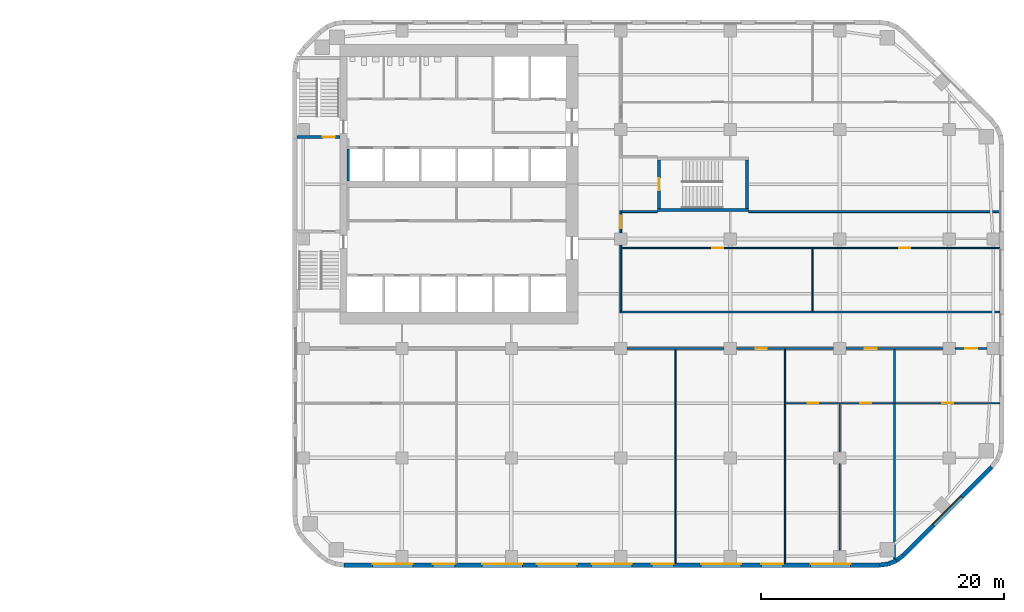
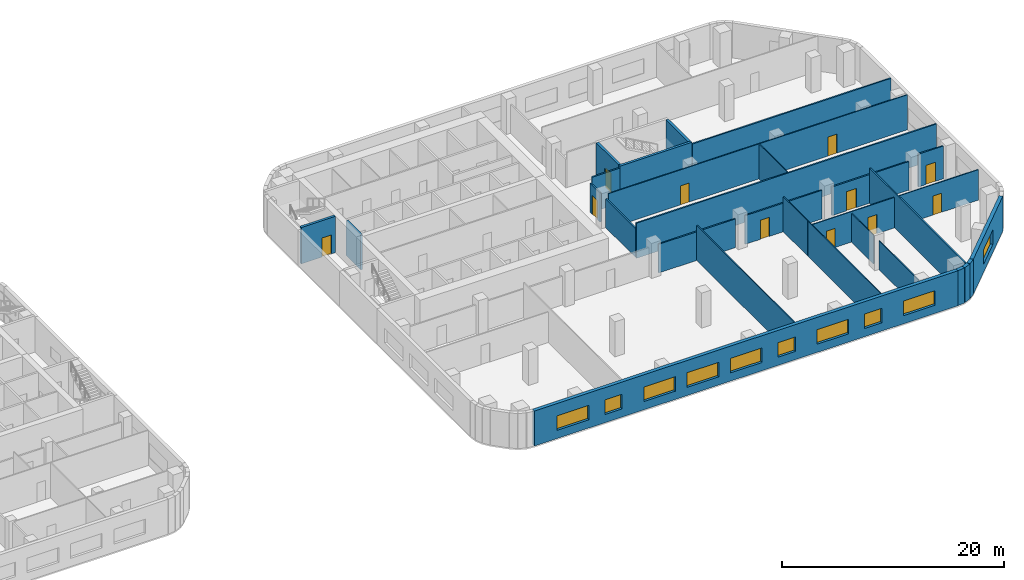
# One storey, part 10 of 16: 29 walls, 11 doors, 10 windows, 21 openings.
"""IFC4 building model written with IfcOpenShell, lengths in metres."""

from ifc_helpers import new_model, si_unit, direction, frame, frame_2d, origin, place, context, subcontext, project, spatial, rectangle, extrude, material, layer, layer_set, type_object, element, fill, save


model = new_model("IFC4")

# Units and contexts
model_context = context("Model", 3, precision=1e-05, world=origin(), true_north=direction((0.0, 1.0)))
body_context = subcontext(model_context, "Body", "Model", "MODEL_VIEW")
ifc_project = project(units=[si_unit("LENGTHUNIT", "METRE"), si_unit("AREAUNIT", "SQUARE_METRE"), si_unit("VOLUMEUNIT", "CUBIC_METRE"), si_unit("PLANEANGLEUNIT", "RADIAN"), si_unit("MASSUNIT", "GRAM", prefix="KILO")], contexts=[model_context])

# Site, building, storey
site_placement = place(None, origin())
site = spatial("IfcSite", under=ifc_project, at=site_placement, CompositionType="ELEMENT")
building_placement = place(site_placement, origin())
building = spatial("IfcBuilding", under=site, at=building_placement, Name="Cinnabar Reach Civic Tower", CompositionType="ELEMENT")
storey_placement = place(building_placement, frame((0.0, 0.0, 34.0)))
storey = spatial("IfcBuildingStorey", under=building, at=storey_placement, Name="L07", CompositionType="ELEMENT", Elevation=34.0)

# Walls
ifc_material_1 = material(Name="Facing brick with insulated backing", Category="masonry")
ifc_layer_1 = layer(ifc_material_1, 0.36)
ifc_layer_set_1 = layer_set([ifc_layer_1], Name="Brick corner wall")
wall_type_1 = type_object("IfcWallType", Name="Brick corner wall", PredefinedType="STANDARD", material=ifc_layer_set_1)
for number, where, z_axis, x_axis, name in (
    (1, (48.2686, 0.183, 0.0), (0.0, 0.0, 1.0), (0.99144092581, 0.13055608231, 0.0), "Brick corner wall"),
    (2, (48.9973, 0.2819, 0.0), (0.0, 0.0, 1.0), (0.923871547278, 0.382702709855, 0.0), "Brick corner wall"),
):
    element("IfcWall", number, at=place(storey_placement, frame(where, z_axis=z_axis, x_axis=x_axis)), inside=storey, type_object=wall_type_1, Name=name, PredefinedType="STANDARD", context=body_context, shape_type="SweptSolid", body=[
        extrude(rectangle(XDim=0.7131, YDim=0.36, at=frame_2d((0.3565, 0.0))), origin(), (0.0, 0.0, 1.0), 3.85),
    ])
wall_1_placement = place(storey_placement, frame((49.6755, 0.566, 0.0), z_axis=(0.0, 0.0, 1.0), x_axis=(0.793321924995, 0.608802368033, 0.0)))
element("IfcWall", 3, at=wall_1_placement, inside=storey, type_object=wall_type_1, Name="Brick corner wall", PredefinedType="STANDARD", context=body_context, shape_type="SweptSolid", body=[
    extrude(rectangle(XDim=0.7132, YDim=0.36, at=frame_2d((0.3566, 0.0))), origin(), (0.0, 0.0, 1.0), 3.85),
])

# Wall, openings, windows
ifc_layer_2 = layer(ifc_material_1, 0.36)
ifc_layer_set_2 = layer_set([ifc_layer_2], Name="Brick pier and spandrel wall")
wall_type_2 = type_object("IfcWallType", Name="Brick pier and spandrel wall", PredefinedType="STANDARD", material=ifc_layer_set_2)
wall_2_placement = place(storey_placement, frame((4.2426, 0.18, 0.0), z_axis=(0.0, 0.0, 1.0), x_axis=(1.0, 0.0, 0.0)))
wall_2 = element("IfcWall", 4, at=wall_2_placement, inside=storey, type_object=wall_type_2, Name="Brick facade wall", PredefinedType="STANDARD", context=body_context, shape_type="SweptSolid", body=[
    extrude(rectangle(XDim=44.0148, YDim=0.36, at=frame_2d((22.0074, 0.0))), origin(), (0.0, 0.0, 1.0), 3.85),
])
opening_1_placement = place(wall_2_placement, frame((2.3574, 0.0, 0.9)))
opening_1 = element("IfcOpeningElement", 5, at=opening_1_placement, cuts=wall_2, Name="Opening W1051", PredefinedType="OPENING", context=body_context, shape_type="SweptSolid", body=[
    extrude(rectangle(XDim=3.3, YDim=1.6, at=frame_2d((1.65, 0.8))), frame((0.0, 0.19, 0.0), z_axis=(0.0, -1.0, 0.0), x_axis=(1.0, 0.0, 0.0)), (0.0, 0.0, 1.0), 0.38),
])
opening_2_placement = place(wall_2_placement, frame((7.3074, 0.0, 0.9)))
opening_2 = element("IfcOpeningElement", 6, at=opening_2_placement, cuts=wall_2, Name="Opening W1052", PredefinedType="OPENING", context=body_context, shape_type="SweptSolid", body=[
    extrude(rectangle(XDim=1.8, YDim=1.6, at=frame_2d((0.9, 0.8))), frame((0.0, 0.19, 0.0), z_axis=(0.0, -1.0, 0.0), x_axis=(1.0, 0.0, 0.0)), (0.0, 0.0, 1.0), 0.38),
])
opening_3_placement = place(wall_2_placement, frame((11.3574, 0.0, 0.9)))
opening_3 = element("IfcOpeningElement", 7, at=opening_3_placement, cuts=wall_2, Name="Opening W1053", PredefinedType="OPENING", context=body_context, shape_type="SweptSolid", body=[
    extrude(rectangle(XDim=3.3, YDim=1.6, at=frame_2d((1.65, 0.8))), frame((0.0, 0.19, 0.0), z_axis=(0.0, -1.0, 0.0), x_axis=(1.0, 0.0, 0.0)), (0.0, 0.0, 1.0), 0.38),
])
opening_4_placement = place(wall_2_placement, frame((15.8574, 0.0, 0.9)))
opening_4 = element("IfcOpeningElement", 8, at=opening_4_placement, cuts=wall_2, Name="Opening W1054", PredefinedType="OPENING", context=body_context, shape_type="SweptSolid", body=[
    extrude(rectangle(XDim=3.3, YDim=1.6, at=frame_2d((1.65, 0.8))), frame((0.0, 0.19, 0.0), z_axis=(0.0, -1.0, 0.0), x_axis=(1.0, 0.0, 0.0)), (0.0, 0.0, 1.0), 0.38),
])
opening_5_placement = place(wall_2_placement, frame((20.3574, 0.0, 0.9)))
opening_5 = element("IfcOpeningElement", 9, at=opening_5_placement, cuts=wall_2, Name="Opening W1055", PredefinedType="OPENING", context=body_context, shape_type="SweptSolid", body=[
    extrude(rectangle(XDim=3.3, YDim=1.6, at=frame_2d((1.65, 0.8))), frame((0.0, 0.19, 0.0), z_axis=(0.0, -1.0, 0.0), x_axis=(1.0, 0.0, 0.0)), (0.0, 0.0, 1.0), 0.38),
])
opening_6_placement = place(wall_2_placement, frame((25.3074, 0.0, 0.9)))
opening_6 = element("IfcOpeningElement", 10, at=opening_6_placement, cuts=wall_2, Name="Opening W1056", PredefinedType="OPENING", context=body_context, shape_type="SweptSolid", body=[
    extrude(rectangle(XDim=1.8, YDim=1.6, at=frame_2d((0.9, 0.8))), frame((0.0, 0.19, 0.0), z_axis=(0.0, -1.0, 0.0), x_axis=(1.0, 0.0, 0.0)), (0.0, 0.0, 1.0), 0.38),
])
opening_7_placement = place(wall_2_placement, frame((29.3574, 0.0, 0.9)))
opening_7 = element("IfcOpeningElement", 11, at=opening_7_placement, cuts=wall_2, Name="Opening W1057", PredefinedType="OPENING", context=body_context, shape_type="SweptSolid", body=[
    extrude(rectangle(XDim=3.3, YDim=1.6, at=frame_2d((1.65, 0.8))), frame((0.0, 0.19, 0.0), z_axis=(0.0, -1.0, 0.0), x_axis=(1.0, 0.0, 0.0)), (0.0, 0.0, 1.0), 0.38),
])
opening_8_placement = place(wall_2_placement, frame((34.3074, 0.0, 0.9)))
opening_8 = element("IfcOpeningElement", 12, at=opening_8_placement, cuts=wall_2, Name="Opening W1058", PredefinedType="OPENING", context=body_context, shape_type="SweptSolid", body=[
    extrude(rectangle(XDim=1.8, YDim=1.6, at=frame_2d((0.9, 0.8))), frame((0.0, 0.19, 0.0), z_axis=(0.0, -1.0, 0.0), x_axis=(1.0, 0.0, 0.0)), (0.0, 0.0, 1.0), 0.38),
])
opening_9_placement = place(wall_2_placement, frame((38.3574, 0.0, 0.9)))
opening_9 = element("IfcOpeningElement", 13, at=opening_9_placement, cuts=wall_2, Name="Opening W1059", PredefinedType="OPENING", context=body_context, shape_type="SweptSolid", body=[
    extrude(rectangle(XDim=3.3, YDim=1.6, at=frame_2d((1.65, 0.8))), frame((0.0, 0.19, 0.0), z_axis=(0.0, -1.0, 0.0), x_axis=(1.0, 0.0, 0.0)), (0.0, 0.0, 1.0), 0.38),
])
ifc_material_2 = material(Name="Clear double glazing in aluminium frame", Category="aluminium")
window_type_1 = type_object("IfcWindowType", Name="Deep-set window A", PartitioningType="SINGLE_PANEL", PredefinedType="WINDOW", material=ifc_material_2)
window_1_placement = place(opening_1_placement, origin())
window_1 = element("IfcWindow", 14, at=window_1_placement, inside=storey, type_object=window_type_1, Name="Window south face", OverallHeight=1.6, OverallWidth=3.3, PartitioningType="SINGLE_PANEL", PredefinedType="WINDOW", context=body_context, shape_type="SweptSolid", body=[
    extrude(rectangle(XDim=3.3, YDim=1.6, at=frame_2d((1.65, 0.8))), frame((0.0, 0.13, 0.0), z_axis=(0.0, -1.0, 0.0), x_axis=(1.0, 0.0, 0.0)), (0.0, 0.0, 1.0), 0.06),
])
fill(opening_1, window_1)
window_2_placement = place(opening_3_placement, origin())
window_2 = element("IfcWindow", 15, at=window_2_placement, inside=storey, type_object=window_type_1, Name="Window south face", OverallHeight=1.6, OverallWidth=3.3, PartitioningType="SINGLE_PANEL", PredefinedType="WINDOW", context=body_context, shape_type="SweptSolid", body=[
    extrude(rectangle(XDim=3.3, YDim=1.6, at=frame_2d((1.65, 0.8))), frame((0.0, 0.13, 0.0), z_axis=(0.0, -1.0, 0.0), x_axis=(1.0, 0.0, 0.0)), (0.0, 0.0, 1.0), 0.06),
])
fill(opening_3, window_2)
window_3_placement = place(opening_4_placement, origin())
window_3 = element("IfcWindow", 16, at=window_3_placement, inside=storey, type_object=window_type_1, Name="Window south face", OverallHeight=1.6, OverallWidth=3.3, PartitioningType="SINGLE_PANEL", PredefinedType="WINDOW", context=body_context, shape_type="SweptSolid", body=[
    extrude(rectangle(XDim=3.3, YDim=1.6, at=frame_2d((1.65, 0.8))), frame((0.0, 0.13, 0.0), z_axis=(0.0, -1.0, 0.0), x_axis=(1.0, 0.0, 0.0)), (0.0, 0.0, 1.0), 0.06),
])
fill(opening_4, window_3)
window_4_placement = place(opening_5_placement, origin())
window_4 = element("IfcWindow", 17, at=window_4_placement, inside=storey, type_object=window_type_1, Name="Window south face", OverallHeight=1.6, OverallWidth=3.3, PartitioningType="SINGLE_PANEL", PredefinedType="WINDOW", context=body_context, shape_type="SweptSolid", body=[
    extrude(rectangle(XDim=3.3, YDim=1.6, at=frame_2d((1.65, 0.8))), frame((0.0, 0.13, 0.0), z_axis=(0.0, -1.0, 0.0), x_axis=(1.0, 0.0, 0.0)), (0.0, 0.0, 1.0), 0.06),
])
fill(opening_5, window_4)
window_5_placement = place(opening_7_placement, origin())
window_5 = element("IfcWindow", 18, at=window_5_placement, inside=storey, type_object=window_type_1, Name="Window south face", OverallHeight=1.6, OverallWidth=3.3, PartitioningType="SINGLE_PANEL", PredefinedType="WINDOW", context=body_context, shape_type="SweptSolid", body=[
    extrude(rectangle(XDim=3.3, YDim=1.6, at=frame_2d((1.65, 0.8))), frame((0.0, 0.13, 0.0), z_axis=(0.0, -1.0, 0.0), x_axis=(1.0, 0.0, 0.0)), (0.0, 0.0, 1.0), 0.06),
])
fill(opening_7, window_5)
window_6_placement = place(opening_9_placement, origin())
window_6 = element("IfcWindow", 19, at=window_6_placement, inside=storey, type_object=window_type_1, Name="Window south face", OverallHeight=1.6, OverallWidth=3.3, PartitioningType="SINGLE_PANEL", PredefinedType="WINDOW", context=body_context, shape_type="SweptSolid", body=[
    extrude(rectangle(XDim=3.3, YDim=1.6, at=frame_2d((1.65, 0.8))), frame((0.0, 0.13, 0.0), z_axis=(0.0, -1.0, 0.0), x_axis=(1.0, 0.0, 0.0)), (0.0, 0.0, 1.0), 0.06),
])
fill(opening_9, window_6)
window_type_2 = type_object("IfcWindowType", Name="Deep-set window D", PartitioningType="SINGLE_PANEL", PredefinedType="WINDOW", material=ifc_material_2)
window_7_placement = place(opening_2_placement, origin())
window_7 = element("IfcWindow", 20, at=window_7_placement, inside=storey, type_object=window_type_2, Name="Window south face", OverallHeight=1.6, OverallWidth=1.8, PartitioningType="SINGLE_PANEL", PredefinedType="WINDOW", context=body_context, shape_type="SweptSolid", body=[
    extrude(rectangle(XDim=1.8, YDim=1.6, at=frame_2d((0.9, 0.8))), frame((0.0, 0.13, 0.0), z_axis=(0.0, -1.0, 0.0), x_axis=(1.0, 0.0, 0.0)), (0.0, 0.0, 1.0), 0.06),
])
fill(opening_2, window_7)
window_8_placement = place(opening_6_placement, origin())
window_8 = element("IfcWindow", 21, at=window_8_placement, inside=storey, type_object=window_type_2, Name="Window south face", OverallHeight=1.6, OverallWidth=1.8, PartitioningType="SINGLE_PANEL", PredefinedType="WINDOW", context=body_context, shape_type="SweptSolid", body=[
    extrude(rectangle(XDim=1.8, YDim=1.6, at=frame_2d((0.9, 0.8))), frame((0.0, 0.13, 0.0), z_axis=(0.0, -1.0, 0.0), x_axis=(1.0, 0.0, 0.0)), (0.0, 0.0, 1.0), 0.06),
])
fill(opening_6, window_8)
window_9_placement = place(opening_8_placement, origin())
window_9 = element("IfcWindow", 22, at=window_9_placement, inside=storey, type_object=window_type_2, Name="Window south face", OverallHeight=1.6, OverallWidth=1.8, PartitioningType="SINGLE_PANEL", PredefinedType="WINDOW", context=body_context, shape_type="SweptSolid", body=[
    extrude(rectangle(XDim=1.8, YDim=1.6, at=frame_2d((0.9, 0.8))), frame((0.0, 0.13, 0.0), z_axis=(0.0, -1.0, 0.0), x_axis=(1.0, 0.0, 0.0)), (0.0, 0.0, 1.0), 0.06),
])
fill(opening_8, window_9)

# Wall, opening, window
wall_3_placement = place(storey_placement, frame((50.2514, 1.006, 0.0), z_axis=(0.0, 0.0, 1.0), x_axis=(0.707106781187, 0.707106781187, 0.0)))
wall_3 = element("IfcWall", 23, at=wall_3_placement, inside=storey, type_object=wall_type_2, Name="Brick facade wall", PredefinedType="STANDARD", context=body_context, shape_type="SweptSolid", body=[
    extrude(rectangle(XDim=10.2426, YDim=0.36, at=frame_2d((5.1213, 0.0))), origin(), (0.0, 0.0, 1.0), 3.85),
])
opening_10_placement = place(wall_3_placement, frame((3.4713, 0.0, 0.9)))
opening_10 = element("IfcOpeningElement", 24, at=opening_10_placement, cuts=wall_3, Name="Opening W1060", PredefinedType="OPENING", context=body_context, shape_type="SweptSolid", body=[
    extrude(rectangle(XDim=3.3, YDim=1.6, at=frame_2d((1.65, 0.8))), frame((0.0, 0.19, 0.0), z_axis=(0.0, -1.0, 0.0), x_axis=(1.0, 0.0, 0.0)), (0.0, 0.0, 1.0), 0.38),
])
window_10_placement = place(opening_10_placement, origin())
window_10 = element("IfcWindow", 25, at=window_10_placement, inside=storey, type_object=window_type_1, Name="Window southeast face", OverallHeight=1.6, OverallWidth=3.3, PartitioningType="SINGLE_PANEL", PredefinedType="WINDOW", context=body_context, shape_type="SweptSolid", body=[
    extrude(rectangle(XDim=3.3, YDim=1.6, at=frame_2d((1.65, 0.8))), frame((0.0, 0.13, 0.0), z_axis=(0.0, -1.0, 0.0), x_axis=(1.0, 0.0, 0.0)), (0.0, 0.0, 1.0), 0.06),
])
fill(opening_10, window_10)

# Wall, opening, door
ifc_material_3 = material(Name="Gypsum board on steel studs, double layer", Category="steel")
ifc_layer_3 = layer(ifc_material_3, 0.15)
ifc_layer_set_3 = layer_set([ifc_layer_3], Name="Corridor wall 150 T1")
wall_type_3 = type_object("IfcWallType", Name="Corridor wall 150 T1", PredefinedType="PARTITIONING", material=ifc_layer_set_3)
wall_4_placement = place(storey_placement, frame((54.5, 18.0, 0.0), z_axis=(0.0, 0.0, 1.0), x_axis=(1.0, 0.0, 0.0)))
wall_4 = element("IfcWall", 26, at=wall_4_placement, inside=storey, type_object=wall_type_3, Name="Corridor wall 19", PredefinedType="PARTITIONING", context=body_context, shape_type="SweptSolid", body=[
    extrude(rectangle(XDim=2.6, YDim=0.15, at=frame_2d((1.3, 0.0))), origin(), (0.0, 0.0, 1.0), 3.602),
])
opening_11_placement = place(wall_4_placement, frame((0.8, 0.0, 0.0)))
opening_11 = element("IfcOpeningElement", 27, at=opening_11_placement, cuts=wall_4, Name="Opening D3312", PredefinedType="OPENING", context=body_context, shape_type="SweptSolid", body=[
    extrude(rectangle(XDim=1.0, YDim=2.1, at=frame_2d((0.5, 1.05))), frame((0.0, 0.085, 0.0), z_axis=(0.0, -1.0, 0.0), x_axis=(1.0, 0.0, 0.0)), (0.0, 0.0, 1.0), 0.17),
])
ifc_material_4 = material(Name="Timber door leaf in steel frame", Category="steel")
door_type_1 = type_object("IfcDoorType", Name="Tenancy entrance door 1000 x 2100 T1", OperationType="SINGLE_SWING_LEFT", PredefinedType="DOOR", material=ifc_material_4)
door_1_placement = place(opening_11_placement, frame((1.0, 0.0, 0.0), z_axis=(0.0, 0.0, 1.0), x_axis=(-1.0, 0.0, 0.0)))
door_1 = element("IfcDoor", 28, at=door_1_placement, inside=storey, type_object=door_type_1, Name="Door D3312", OperationType="SINGLE_SWING_RIGHT", OverallHeight=2.1, OverallWidth=1.0, PredefinedType="DOOR", context=body_context, shape_type="SweptSolid", body=[
    extrude(rectangle(XDim=1.0, YDim=2.1, at=frame_2d((0.5, 1.05))), frame((0.0, 0.025, 0.0), z_axis=(0.0, -1.0, 0.0), x_axis=(1.0, 0.0, 0.0)), (0.0, 0.0, 1.0), 0.05),
])
fill(opening_11, door_1)

wall_5_placement = place(storey_placement, frame((45.5, 18.0, 0.0), z_axis=(0.0, 0.0, 1.0), x_axis=(1.0, 0.0, 0.0)))
wall_5 = element("IfcWall", 29, at=wall_5_placement, inside=storey, type_object=wall_type_3, Name="Corridor wall 20", PredefinedType="PARTITIONING", context=body_context, shape_type="SweptSolid", body=[
    extrude(rectangle(XDim=8.0, YDim=0.15, at=frame_2d((4.0, 0.0))), origin(), (0.0, 0.0, 1.0), 3.15),
])
opening_12_placement = place(wall_5_placement, frame((1.55, 0.0, 0.0)))
opening_12 = element("IfcOpeningElement", 30, at=opening_12_placement, cuts=wall_5, Name="Opening D3309", PredefinedType="OPENING", context=body_context, shape_type="SweptSolid", body=[
    extrude(rectangle(XDim=1.0, YDim=2.1, at=frame_2d((0.5, 1.05))), frame((0.0, 0.085, 0.0), z_axis=(0.0, -1.0, 0.0), x_axis=(1.0, 0.0, 0.0)), (0.0, 0.0, 1.0), 0.17),
])
door_2_placement = place(opening_12_placement, frame((1.0, 0.0, 0.0), z_axis=(0.0, 0.0, 1.0), x_axis=(-1.0, 0.0, 0.0)))
door_2 = element("IfcDoor", 31, at=door_2_placement, inside=storey, type_object=door_type_1, Name="Door D3309", OperationType="SINGLE_SWING_LEFT", OverallHeight=2.1, OverallWidth=1.0, PredefinedType="DOOR", context=body_context, shape_type="SweptSolid", body=[
    extrude(rectangle(XDim=1.0, YDim=2.1, at=frame_2d((0.5, 1.05))), frame((0.0, 0.025, 0.0), z_axis=(0.0, -1.0, 0.0), x_axis=(1.0, 0.0, 0.0)), (0.0, 0.0, 1.0), 0.05),
])
fill(opening_12, door_2)

wall_6_placement = place(storey_placement, frame((36.5, 18.0, 0.0), z_axis=(0.0, 0.0, 1.0), x_axis=(1.0, 0.0, 0.0)))
wall_6 = element("IfcWall", 32, at=wall_6_placement, inside=storey, type_object=wall_type_3, Name="Corridor wall 21", PredefinedType="PARTITIONING", context=body_context, shape_type="SweptSolid", body=[
    extrude(rectangle(XDim=8.0, YDim=0.15, at=frame_2d((4.0, 0.0))), origin(), (0.0, 0.0, 1.0), 3.15),
])
opening_13_placement = place(wall_6_placement, frame((1.6, 0.0, 0.0)))
opening_13 = element("IfcOpeningElement", 33, at=opening_13_placement, cuts=wall_6, Name="Opening D3308", PredefinedType="OPENING", context=body_context, shape_type="SweptSolid", body=[
    extrude(rectangle(XDim=0.9, YDim=2.1, at=frame_2d((0.45, 1.05))), frame((0.0, 0.085, 0.0), z_axis=(0.0, -1.0, 0.0), x_axis=(1.0, 0.0, 0.0)), (0.0, 0.0, 1.0), 0.17),
])
door_type_2 = type_object("IfcDoorType", Name="Single swing door 900 x 2100 corridor T1", OperationType="SINGLE_SWING_LEFT", PredefinedType="DOOR", material=ifc_material_4)
door_3_placement = place(opening_13_placement, frame((0.9, 0.0, 0.0), z_axis=(0.0, 0.0, 1.0), x_axis=(-1.0, 0.0, 0.0)))
door_3 = element("IfcDoor", 34, at=door_3_placement, inside=storey, type_object=door_type_2, Name="Door D3308", OperationType="SINGLE_SWING_LEFT", OverallHeight=2.1, OverallWidth=0.9, PredefinedType="DOOR", context=body_context, shape_type="SweptSolid", body=[
    extrude(rectangle(XDim=0.9, YDim=2.1, at=frame_2d((0.45, 1.05))), frame((0.0, 0.025, 0.0), z_axis=(0.0, -1.0, 0.0), x_axis=(1.0, 0.0, 0.0)), (0.0, 0.0, 1.0), 0.05),
])
fill(opening_13, door_3)

# Walls
wall_7_placement = place(storey_placement, frame((27.5, 18.0, 0.0), z_axis=(0.0, 0.0, 1.0), x_axis=(1.0, 0.0, 0.0)))
element("IfcWall", 35, at=wall_7_placement, inside=storey, type_object=wall_type_3, Name="Corridor wall 22", PredefinedType="PARTITIONING", context=body_context, shape_type="SweptSolid", body=[
    extrude(rectangle(XDim=8.0, YDim=0.15, at=frame_2d((4.0, 0.0))), origin(), (0.0, 0.0, 1.0), 3.15),
])
wall_8_placement = place(storey_placement, frame((26.925, 21.0, 0.0), z_axis=(0.0, 0.0, 1.0), x_axis=(1.0, 0.0, 0.0)))
element("IfcWall", 36, at=wall_8_placement, inside=storey, type_object=wall_type_3, Name="Corridor wall 26", PredefinedType="PARTITIONING", context=body_context, shape_type="SweptSolid", body=[
    extrude(rectangle(XDim=31.215, YDim=0.15, at=frame_2d((15.6075, 0.0))), origin(), (0.0, 0.0, 1.0), 3.85),
])
wall_9_placement = place(storey_placement, frame((27.0, 21.075, 0.0), z_axis=(0.0, 0.0, 1.0), x_axis=(0.0, 1.0, 0.0)))
element("IfcWall", 37, at=wall_9_placement, inside=storey, type_object=wall_type_3, Name="Corridor wall 31", PredefinedType="PARTITIONING", context=body_context, shape_type="SweptSolid", body=[
    extrude(rectangle(XDim=5.425, YDim=0.15, at=frame_2d((2.7125, 0.0))), origin(), (0.0, 0.0, 1.0), 3.158),
])

# Wall, opening, door
wall_10_placement = place(storey_placement, frame((27.0, 27.5, 0.0), z_axis=(0.0, 0.0, 1.0), x_axis=(0.0, 1.0, 0.0)))
wall_10 = element("IfcWall", 38, at=wall_10_placement, inside=storey, type_object=wall_type_3, Name="Corridor wall 32", PredefinedType="PARTITIONING", context=body_context, shape_type="SweptSolid", body=[
    extrude(rectangle(XDim=1.825, YDim=0.15, at=frame_2d((0.9125, 0.0))), origin(), (0.0, 0.0, 1.0), 3.158),
])
opening_14_placement = place(wall_10_placement, frame((0.4, 0.0, 0.0)))
opening_14 = element("IfcOpeningElement", 39, at=opening_14_placement, cuts=wall_10, Name="Opening D3302", PredefinedType="OPENING", context=body_context, shape_type="SweptSolid", body=[
    extrude(rectangle(XDim=1.0, YDim=2.1, at=frame_2d((0.5, 1.05))), frame((0.0, 0.085, 0.0), z_axis=(0.0, -1.0, 0.0), x_axis=(1.0, 0.0, 0.0)), (0.0, 0.0, 1.0), 0.17),
])
door_4_placement = place(opening_14_placement, frame((1.0, 0.0, 0.0), z_axis=(0.0, 0.0, 1.0), x_axis=(-1.0, 0.0, 0.0)))
door_4 = element("IfcDoor", 40, at=door_4_placement, inside=storey, type_object=door_type_1, Name="Door D3302", OperationType="SINGLE_SWING_LEFT", OverallHeight=2.1, OverallWidth=1.0, PredefinedType="DOOR", context=body_context, shape_type="SweptSolid", body=[
    extrude(rectangle(XDim=1.0, YDim=2.1, at=frame_2d((0.5, 1.05))), frame((0.0, 0.025, 0.0), z_axis=(0.0, -1.0, 0.0), x_axis=(1.0, 0.0, 0.0)), (0.0, 0.0, 1.0), 0.05),
])
fill(opening_14, door_4)

# Walls
wall_11_placement = place(storey_placement, frame((27.075, 29.25, 0.0), z_axis=(0.0, 0.0, 1.0), x_axis=(1.0, 0.0, 0.0)))
element("IfcWall", 41, at=wall_11_placement, inside=storey, type_object=wall_type_3, Name="Corridor wall 35", PredefinedType="PARTITIONING", context=body_context, shape_type="SweptSolid", body=[
    extrude(rectangle(XDim=2.925, YDim=0.15, at=frame_2d((1.4625, 0.0))), origin(), (0.0, 0.0, 1.0), 3.85),
])
ifc_material_5 = material(Name="Blockwork", Category="masonry")
ifc_layer_4 = layer(ifc_material_5, 0.2)
ifc_layer_set_4 = layer_set([ifc_layer_4], Name="Lift shaft wall 200 T1")
wall_type_4 = type_object("IfcWallType", Name="Lift shaft wall 200 T1", PredefinedType="PARTITIONING", material=ifc_layer_set_4)
wall_12_placement = place(storey_placement, frame((4.6, 31.75, 0.0), z_axis=(0.0, 0.0, 1.0), x_axis=(0.0, 1.0, 0.0)))
element("IfcWall", 42, at=wall_12_placement, inside=storey, type_object=wall_type_4, Name="Lift shaft wall 8", PredefinedType="PARTITIONING", context=body_context, shape_type="SweptSolid", body=[
    extrude(rectangle(XDim=2.65, YDim=0.2, at=frame_2d((1.325, 0.0))), origin(), (0.0, 0.0, 1.0), 3.85),
])

# Wall, openings, doors
ifc_material_6 = material(Name="Gypsum board on steel studs", Category="steel")
ifc_layer_5 = layer(ifc_material_6, 0.1)
ifc_layer_set_5 = layer_set([ifc_layer_5], Name="Partition wall 100 T1")
wall_type_5 = type_object("IfcWallType", Name="Partition wall 100 T1", PredefinedType="PARTITIONING", material=ifc_layer_set_5)
wall_13_placement = place(storey_placement, frame((27.075, 26.25, 0.0), z_axis=(0.0, 0.0, 1.0), x_axis=(1.0, 0.0, 0.0)))
wall_13 = element("IfcWall", 43, at=wall_13_placement, inside=storey, type_object=wall_type_5, Name="Partition wall 42", PredefinedType="PARTITIONING", context=body_context, shape_type="SweptSolid", body=[
    extrude(rectangle(XDim=31.065, YDim=0.1, at=frame_2d((15.5325, 0.0))), origin(), (0.0, 0.0, 1.0), 3.85),
])
opening_15_placement = place(wall_13_placement, frame((7.45, 0.0, 0.0)))
opening_15 = element("IfcOpeningElement", 44, at=opening_15_placement, cuts=wall_13, Name="Opening D3303", PredefinedType="OPENING", context=body_context, shape_type="SweptSolid", body=[
    extrude(rectangle(XDim=0.9, YDim=2.1, at=frame_2d((0.45, 1.05))), frame((0.0, 0.06, 0.0), z_axis=(0.0, -1.0, 0.0), x_axis=(1.0, 0.0, 0.0)), (0.0, 0.0, 1.0), 0.12),
])
opening_16_placement = place(wall_13_placement, frame((22.825, 0.0, 0.0)))
opening_16 = element("IfcOpeningElement", 45, at=opening_16_placement, cuts=wall_13, Name="Opening D3304", PredefinedType="OPENING", context=body_context, shape_type="SweptSolid", body=[
    extrude(rectangle(XDim=0.9, YDim=2.1, at=frame_2d((0.45, 1.05))), frame((0.0, 0.06, 0.0), z_axis=(0.0, -1.0, 0.0), x_axis=(1.0, 0.0, 0.0)), (0.0, 0.0, 1.0), 0.12),
])
door_type_3 = type_object("IfcDoorType", Name="Single swing door 900 x 2100 T1", OperationType="SINGLE_SWING_LEFT", PredefinedType="DOOR", material=ifc_material_4)
door_5_placement = place(opening_15_placement, frame((0.9, 0.0, 0.0), z_axis=(0.0, 0.0, 1.0), x_axis=(-1.0, 0.0, 0.0)))
door_5 = element("IfcDoor", 46, at=door_5_placement, inside=storey, type_object=door_type_3, Name="Door D3303", OperationType="SINGLE_SWING_LEFT", OverallHeight=2.1, OverallWidth=0.9, PredefinedType="DOOR", context=body_context, shape_type="SweptSolid", body=[
    extrude(rectangle(XDim=0.9, YDim=2.1, at=frame_2d((0.45, 1.05))), frame((0.0, 0.025, 0.0), z_axis=(0.0, -1.0, 0.0), x_axis=(1.0, 0.0, 0.0)), (0.0, 0.0, 1.0), 0.05),
])
fill(opening_15, door_5)
door_6_placement = place(opening_16_placement, frame((0.9, 0.0, 0.0), z_axis=(0.0, 0.0, 1.0), x_axis=(-1.0, 0.0, 0.0)))
door_6 = element("IfcDoor", 47, at=door_6_placement, inside=storey, type_object=door_type_3, Name="Door D3304", OperationType="SINGLE_SWING_LEFT", OverallHeight=2.1, OverallWidth=0.9, PredefinedType="DOOR", context=body_context, shape_type="SweptSolid", body=[
    extrude(rectangle(XDim=0.9, YDim=2.1, at=frame_2d((0.45, 1.05))), frame((0.0, 0.025, 0.0), z_axis=(0.0, -1.0, 0.0), x_axis=(1.0, 0.0, 0.0)), (0.0, 0.0, 1.0), 0.05),
])
fill(opening_16, door_6)

wall_14_placement = place(storey_placement, frame((40.45, 13.5, 0.0), z_axis=(0.0, 0.0, 1.0), x_axis=(1.0, 0.0, 0.0)))
wall_14 = element("IfcWall", 48, at=wall_14_placement, inside=storey, type_object=wall_type_5, Name="Partition wall 44", PredefinedType="PARTITIONING", context=body_context, shape_type="SweptSolid", body=[
    extrude(rectangle(XDim=8.975, YDim=0.1, at=frame_2d((4.4875, 0.0))), origin(), (0.0, 0.0, 1.0), 3.35),
])
opening_17_placement = place(wall_14_placement, frame((1.9, 0.0, 0.0)))
opening_17 = element("IfcOpeningElement", 49, at=opening_17_placement, cuts=wall_14, Name="Opening D3310", PredefinedType="OPENING", context=body_context, shape_type="SweptSolid", body=[
    extrude(rectangle(XDim=0.9, YDim=2.1, at=frame_2d((0.45, 1.05))), frame((0.0, 0.06, 0.0), z_axis=(0.0, -1.0, 0.0), x_axis=(1.0, 0.0, 0.0)), (0.0, 0.0, 1.0), 0.12),
])
opening_18_placement = place(wall_14_placement, frame((6.25, 0.0, 0.0)))
opening_18 = element("IfcOpeningElement", 50, at=opening_18_placement, cuts=wall_14, Name="Opening D3311", PredefinedType="OPENING", context=body_context, shape_type="SweptSolid", body=[
    extrude(rectangle(XDim=0.9, YDim=2.1, at=frame_2d((0.45, 1.05))), frame((0.0, 0.06, 0.0), z_axis=(0.0, -1.0, 0.0), x_axis=(1.0, 0.0, 0.0)), (0.0, 0.0, 1.0), 0.12),
])
door_7_placement = place(opening_17_placement, origin())
door_7 = element("IfcDoor", 51, at=door_7_placement, inside=storey, type_object=door_type_3, Name="Door D3310", OperationType="SINGLE_SWING_RIGHT", OverallHeight=2.1, OverallWidth=0.9, PredefinedType="DOOR", context=body_context, shape_type="SweptSolid", body=[
    extrude(rectangle(XDim=0.9, YDim=2.1, at=frame_2d((0.45, 1.05))), frame((0.0, 0.025, 0.0), z_axis=(0.0, -1.0, 0.0), x_axis=(1.0, 0.0, 0.0)), (0.0, 0.0, 1.0), 0.05),
])
fill(opening_17, door_7)
door_8_placement = place(opening_18_placement, origin())
door_8 = element("IfcDoor", 52, at=door_8_placement, inside=storey, type_object=door_type_3, Name="Door D3311", OperationType="SINGLE_SWING_RIGHT", OverallHeight=2.1, OverallWidth=0.9, PredefinedType="DOOR", context=body_context, shape_type="SweptSolid", body=[
    extrude(rectangle(XDim=0.9, YDim=2.1, at=frame_2d((0.45, 1.05))), frame((0.0, 0.025, 0.0), z_axis=(0.0, -1.0, 0.0), x_axis=(1.0, 0.0, 0.0)), (0.0, 0.0, 1.0), 0.05),
])
fill(opening_18, door_8)

# Wall, opening, door
wall_15_placement = place(storey_placement, frame((49.575, 13.5, 0.0), z_axis=(0.0, 0.0, 1.0), x_axis=(1.0, 0.0, 0.0)))
wall_15 = element("IfcWall", 53, at=wall_15_placement, inside=storey, type_object=wall_type_5, Name="Partition wall 45", PredefinedType="PARTITIONING", context=body_context, shape_type="SweptSolid", body=[
    extrude(rectangle(XDim=8.565, YDim=0.1, at=frame_2d((4.2825, 0.0))), origin(), (0.0, 0.0, 1.0), 3.35),
])
opening_19_placement = place(wall_15_placement, frame((3.85, 0.0, 0.0)))
opening_19 = element("IfcOpeningElement", 54, at=opening_19_placement, cuts=wall_15, Name="Opening D3313", PredefinedType="OPENING", context=body_context, shape_type="SweptSolid", body=[
    extrude(rectangle(XDim=0.9, YDim=2.1, at=frame_2d((0.45, 1.05))), frame((0.0, 0.06, 0.0), z_axis=(0.0, -1.0, 0.0), x_axis=(1.0, 0.0, 0.0)), (0.0, 0.0, 1.0), 0.12),
])
door_9_placement = place(opening_19_placement, origin())
door_9 = element("IfcDoor", 55, at=door_9_placement, inside=storey, type_object=door_type_3, Name="Door D3313", OperationType="SINGLE_SWING_RIGHT", OverallHeight=2.1, OverallWidth=0.9, PredefinedType="DOOR", context=body_context, shape_type="SweptSolid", body=[
    extrude(rectangle(XDim=0.9, YDim=2.1, at=frame_2d((0.45, 1.05))), frame((0.0, 0.025, 0.0), z_axis=(0.0, -1.0, 0.0), x_axis=(1.0, 0.0, 0.0)), (0.0, 0.0, 1.0), 0.05),
])
fill(opening_19, door_9)

# Walls
wall_16_placement = place(storey_placement, frame((31.5, 0.36, 0.0), z_axis=(0.0, 0.0, 1.0), x_axis=(0.0, 1.0, 0.0)))
element("IfcWall", 56, at=wall_16_placement, inside=storey, type_object=wall_type_5, Name="Partition wall 47", PredefinedType="PARTITIONING", context=body_context, shape_type="SweptSolid", body=[
    extrude(rectangle(XDim=17.565, YDim=0.1, at=frame_2d((8.7825, 0.0))), origin(), (0.0, 0.0, 1.0), 3.85),
])
wall_17_placement = place(storey_placement, frame((40.5, 13.55, 0.0), z_axis=(0.0, 0.0, 1.0), x_axis=(0.0, 1.0, 0.0)))
element("IfcWall", 57, at=wall_17_placement, inside=storey, type_object=wall_type_5, Name="Partition wall 48", PredefinedType="PARTITIONING", context=body_context, shape_type="SweptSolid", body=[
    extrude(rectangle(XDim=4.375, YDim=0.1, at=frame_2d((2.1875, 0.0))), origin(), (0.0, 0.0, 1.0), 3.85),
])
wall_18_placement = place(storey_placement, frame((40.5, 0.36, 0.0), z_axis=(0.0, 0.0, 1.0), x_axis=(0.0, 1.0, 0.0)))
element("IfcWall", 58, at=wall_18_placement, inside=storey, type_object=wall_type_5, Name="Partition wall 49", PredefinedType="PARTITIONING", context=body_context, shape_type="SweptSolid", body=[
    extrude(rectangle(XDim=13.09, YDim=0.1, at=frame_2d((6.545, 0.0))), origin(), (0.0, 0.0, 1.0), 3.85),
])
wall_19_placement = place(storey_placement, frame((45.0, 1.4, 0.0), z_axis=(0.0, 0.0, 1.0), x_axis=(0.0, 1.0, 0.0)))
element("IfcWall", 59, at=wall_19_placement, inside=storey, type_object=wall_type_5, Name="Partition wall 51", PredefinedType="PARTITIONING", context=body_context, shape_type="SweptSolid", body=[
    extrude(rectangle(XDim=7.1, YDim=0.1, at=frame_2d((3.55, 0.0))), origin(), (0.0, 0.0, 1.0), 3.158),
])
wall_20_placement = place(storey_placement, frame((45.0, 9.5, 0.0), z_axis=(0.0, 0.0, 1.0), x_axis=(0.0, 1.0, 0.0)))
element("IfcWall", 60, at=wall_20_placement, inside=storey, type_object=wall_type_5, Name="Partition wall 52", PredefinedType="PARTITIONING", context=body_context, shape_type="SweptSolid", body=[
    extrude(rectangle(XDim=3.95, YDim=0.1, at=frame_2d((1.975, 0.0))), origin(), (0.0, 0.0, 1.0), 3.158),
])
wall_21_placement = place(storey_placement, frame((42.75, 21.075, 0.0), z_axis=(0.0, 0.0, 1.0), x_axis=(0.0, 1.0, 0.0)))
element("IfcWall", 61, at=wall_21_placement, inside=storey, type_object=wall_type_5, Name="Partition wall 54", PredefinedType="PARTITIONING", context=body_context, shape_type="SweptSolid", body=[
    extrude(rectangle(XDim=5.125, YDim=0.1, at=frame_2d((2.5625, 0.0))), origin(), (0.0, 0.0, 1.0), 3.85),
])

# Wall, opening, door
ifc_material_7 = material(Name="Concrete C60", Category="concrete")
ifc_layer_6 = layer(ifc_material_7, 0.25)
ifc_layer_set_6 = layer_set([ifc_layer_6], Name="Stair shaft wall 250 EI 120")
wall_type_6 = type_object("IfcWallType", Name="Stair shaft wall 250 EI 120", PredefinedType="SOLIDWALL", material=ifc_layer_set_6)
wall_22_placement = place(storey_placement, frame((0.36, 35.375, 0.0), z_axis=(0.0, 0.0, 1.0), x_axis=(1.0, 0.0, 0.0)))
wall_22 = element("IfcWall", 62, at=wall_22_placement, inside=storey, type_object=wall_type_6, Name="Stair shaft wall T1-S2 L07", PredefinedType="SOLIDWALL", context=body_context, shape_type="SweptSolid", body=[
    extrude(rectangle(XDim=3.54, YDim=0.25, at=frame_2d((1.77, 0.0))), origin(), (0.0, 0.0, 1.0), 4.0),
])
opening_20_placement = place(wall_22_placement, frame((2.14, 0.0, 0.0)))
opening_20 = element("IfcOpeningElement", 63, at=opening_20_placement, cuts=wall_22, Name="Opening D3275", PredefinedType="OPENING", context=body_context, shape_type="SweptSolid", body=[
    extrude(rectangle(XDim=1.0, YDim=2.1, at=frame_2d((0.5, 1.05))), frame((0.0, 0.135, 0.0), z_axis=(0.0, -1.0, 0.0), x_axis=(1.0, 0.0, 0.0)), (0.0, 0.0, 1.0), 0.27),
])
door_type_4 = type_object("IfcDoorType", Name="Stair door 1000 x 2100 T1", OperationType="SINGLE_SWING_LEFT", PredefinedType="DOOR", material=ifc_material_4)
door_10_placement = place(opening_20_placement, origin())
door_10 = element("IfcDoor", 64, at=door_10_placement, inside=storey, type_object=door_type_4, Name="Door D3275", OperationType="SINGLE_SWING_RIGHT", OverallHeight=2.1, OverallWidth=1.0, PredefinedType="DOOR", context=body_context, shape_type="SweptSolid", body=[
    extrude(rectangle(XDim=1.0, YDim=2.1, at=frame_2d((0.5, 1.05))), frame((0.0, 0.025, 0.0), z_axis=(0.0, -1.0, 0.0), x_axis=(1.0, 0.0, 0.0)), (0.0, 0.0, 1.0), 0.05),
])
fill(opening_20, door_10)

# Walls
wall_23_placement = place(storey_placement, frame((30.0, 29.375, 0.0), z_axis=(0.0, 0.0, 1.0), x_axis=(1.0, 0.0, 0.0)))
element("IfcWall", 65, at=wall_23_placement, inside=storey, type_object=wall_type_6, Name="Stair shaft wall T1-S3 L07", PredefinedType="SOLIDWALL", context=body_context, shape_type="SweptSolid", body=[
    extrude(rectangle(XDim=7.5, YDim=0.25, at=frame_2d((3.75, 0.0))), origin(), (0.0, 0.0, 1.0), 4.0),
])
wall_24_placement = place(storey_placement, frame((37.375, 29.5, 0.0), z_axis=(0.0, 0.0, 1.0), x_axis=(0.0, 1.0, 0.0)))
element("IfcWall", 66, at=wall_24_placement, inside=storey, type_object=wall_type_6, Name="Stair shaft wall T1-S3 L07", PredefinedType="SOLIDWALL", context=body_context, shape_type="SweptSolid", body=[
    extrude(rectangle(XDim=4.0, YDim=0.25, at=frame_2d((2.0, 0.0))), origin(), (0.0, 0.0, 1.0), 4.0),
])

# Wall, opening, door
wall_25_placement = place(storey_placement, frame((30.125, 33.5, 0.0), z_axis=(0.0, 0.0, 1.0), x_axis=(0.0, -1.0, 0.0)))
wall_25 = element("IfcWall", 67, at=wall_25_placement, inside=storey, type_object=wall_type_6, Name="Stair shaft wall T1-S3 L07", PredefinedType="SOLIDWALL", context=body_context, shape_type="SweptSolid", body=[
    extrude(rectangle(XDim=4.0, YDim=0.25, at=frame_2d((2.0, 0.0))), origin(), (0.0, 0.0, 1.0), 4.0),
])
opening_21_placement = place(wall_25_placement, frame((1.5, 0.0, 0.0)))
opening_21 = element("IfcOpeningElement", 68, at=opening_21_placement, cuts=wall_25, Name="Opening D3291", PredefinedType="OPENING", context=body_context, shape_type="SweptSolid", body=[
    extrude(rectangle(XDim=1.0, YDim=2.1, at=frame_2d((0.5, 1.05))), frame((0.0, 0.135, 0.0), z_axis=(0.0, -1.0, 0.0), x_axis=(1.0, 0.0, 0.0)), (0.0, 0.0, 1.0), 0.27),
])
door_11_placement = place(opening_21_placement, origin())
door_11 = element("IfcDoor", 69, at=door_11_placement, inside=storey, type_object=door_type_4, Name="Door D3291", OperationType="SINGLE_SWING_LEFT", OverallHeight=2.1, OverallWidth=1.0, PredefinedType="DOOR", context=body_context, shape_type="SweptSolid", body=[
    extrude(rectangle(XDim=1.0, YDim=2.1, at=frame_2d((0.5, 1.05))), frame((0.0, 0.025, 0.0), z_axis=(0.0, -1.0, 0.0), x_axis=(1.0, 0.0, 0.0)), (0.0, 0.0, 1.0), 0.05),
])
fill(opening_21, door_11)

# Walls
ifc_layer_7 = layer(ifc_material_3, 0.15)
ifc_layer_set_7 = layer_set([ifc_layer_7], Name="Tenancy separating wall 150 T1")
wall_type_7 = type_object("IfcWallType", Name="Tenancy separating wall 150 T1", PredefinedType="PARTITIONING", material=ifc_layer_set_7)
wall_26_placement = place(storey_placement, frame((37.5, 29.25, 0.0), z_axis=(0.0, 0.0, 1.0), x_axis=(1.0, 0.0, 0.0)))
element("IfcWall", 70, at=wall_26_placement, inside=storey, type_object=wall_type_7, Name="Tenancy separating wall 40", PredefinedType="PARTITIONING", context=body_context, shape_type="SweptSolid", body=[
    extrude(rectangle(XDim=20.64, YDim=0.15, at=frame_2d((10.32, 0.0))), origin(), (0.0, 0.0, 1.0), 3.85),
])
wall_27_placement = place(storey_placement, frame((49.5, 0.716, 0.0), z_axis=(0.0, 0.0, 1.0), x_axis=(0.0, 1.0, 0.0)))
element("IfcWall", 71, at=wall_27_placement, inside=storey, type_object=wall_type_7, Name="Tenancy separating wall 41", PredefinedType="PARTITIONING", context=body_context, shape_type="SweptSolid", body=[
    extrude(rectangle(XDim=17.209, YDim=0.15, at=frame_2d((8.6045, 0.0))), origin(), (0.0, 0.0, 1.0), 3.85),
])

save(model, "model.ifc")
